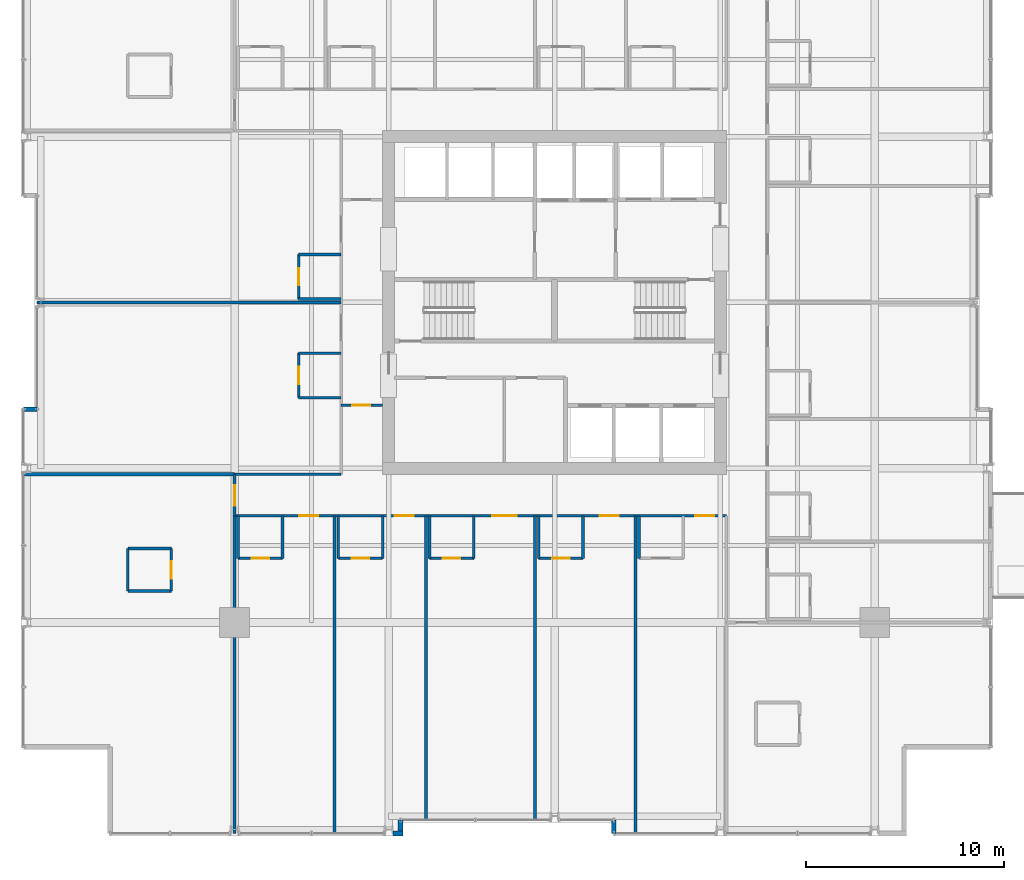
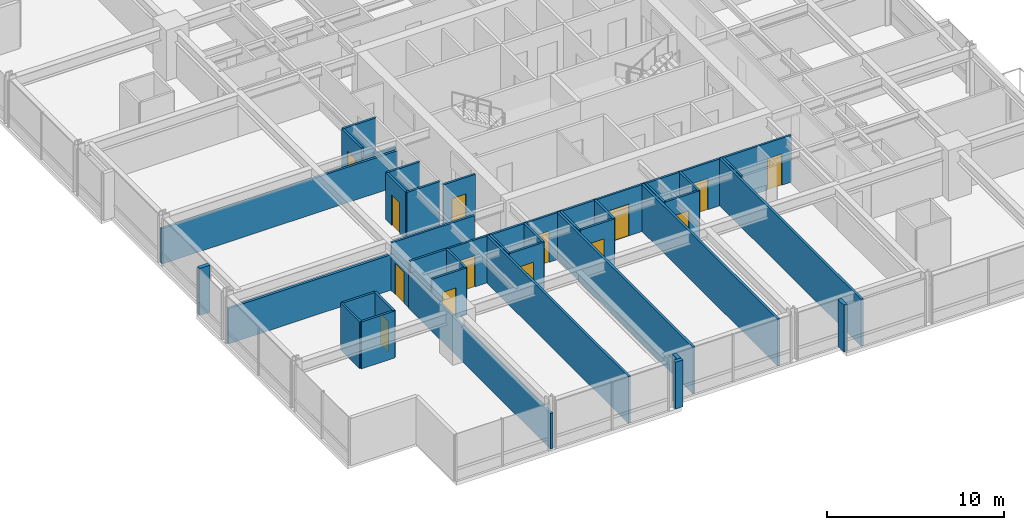
# One storey, part 28 of 34: 38 walls, 14 doors, 14 openings.
"""IFC4 building model written with IfcOpenShell, lengths in metres."""

from ifc_helpers import new_model, si_unit, direction, frame, frame_2d, origin, place, context, subcontext, project, spatial, rectangle, extrude, material, layer, layer_set, type_object, element, fill, save


model = new_model("IFC4")

# Units and contexts
model_context = context("Model", 3, precision=1e-05, world=origin(), true_north=direction((0.0, 1.0)))
body_context = subcontext(model_context, "Body", "Model", "MODEL_VIEW")
ifc_project = project(units=[si_unit("LENGTHUNIT", "METRE"), si_unit("AREAUNIT", "SQUARE_METRE"), si_unit("VOLUMEUNIT", "CUBIC_METRE"), si_unit("PLANEANGLEUNIT", "RADIAN"), si_unit("MASSUNIT", "GRAM", prefix="KILO")], contexts=[model_context])

# Site, building, storey
site_placement = place(None, origin())
site = spatial("IfcSite", under=ifc_project, at=site_placement, CompositionType="ELEMENT")
building_placement = place(site_placement, origin())
building = spatial("IfcBuilding", under=site, at=building_placement, Name="Drelvath Grand Hotel", CompositionType="ELEMENT")
storey_placement = place(building_placement, frame((0.0, 0.0, 91.800048828125)))
storey = spatial("IfcBuildingStorey", under=building, at=storey_placement, Name="L22", CompositionType="ELEMENT", Elevation=91.800048828125)

# Wall, opening, door
ifc_material_1 = material(Name="Gypsum Fireboard Partition")
ifc_layer_1 = layer(ifc_material_1, 0.135009765625)
ifc_layer_set_1 = layer_set([ifc_layer_1], Name="Gypsum Fireboard Partition")
wall_type_1 = type_object("IfcWallType", Name="Corridor Fire Barrier Wall 135", PredefinedType="PARTITIONING", material=ifc_layer_set_1)
wall_1_placement = place(storey_placement, frame((-10.800048828125, 21.800048828125, 0.0), z_axis=(0.0, 0.0, 1.0), x_axis=(1.0, 0.0, 0.0)))
wall_1 = element("IfcWall", 1, at=wall_1_placement, inside=storey, type_object=wall_type_1, Name="L22 West Foyer South Wall", PredefinedType="PARTITIONING", context=body_context, shape_type="SweptSolid", body=[
    extrude(rectangle(XDim=2.10009765625, YDim=0.135009765625, at=frame_2d((1.050048828125, 0.0))), origin(), (0.0, 0.0, 1.0), 3.239990234375),
])
opening_1_placement = place(wall_1_placement, frame((0.550048828125, 0.0, 0.0)))
opening_1 = element("IfcOpeningElement", 2, at=opening_1_placement, cuts=wall_1, Name="Opening D-T2G1-017", PredefinedType="OPENING", context=body_context, shape_type="SweptSolid", body=[
    extrude(rectangle(XDim=0.919921875, YDim=2.10009765625, at=frame_2d((0.4599609375, 1.050048828125))), frame((0.0, 0.077392578125, 0.0), z_axis=(0.0, -1.0, 0.0), x_axis=(1.0, 0.0, 0.0)), (0.0, 0.0, 1.0), 0.155029296875),
])
ifc_material_2 = material(Name="Painted Steel S275", Category="steel")
door_type_1 = type_object("IfcDoorType", Name="Staff Utility Door 920x2100", OperationType="NOTDEFINED", PredefinedType="DOOR", material=ifc_material_2)
door_1_placement = place(opening_1_placement, origin())
door_1 = element("IfcDoor", 3, at=door_1_placement, inside=storey, type_object=door_type_1, Name="L22 West Linen Closet Door", OperationType="SINGLE_SWING_RIGHT", OverallHeight=2.10009765625, OverallWidth=0.919921875, PredefinedType="DOOR", context=body_context, shape_type="SweptSolid", body=[
    extrude(rectangle(XDim=0.919921875, YDim=2.10009765625, at=frame_2d((0.4599609375, 1.050048828125))), frame((0.0, 0.02490234375, 0.0), z_axis=(0.0, -1.0, 0.0), x_axis=(1.0, 0.0, 0.0)), (0.0, 0.0, 1.0), 0.050048828125),
])
fill(opening_1, door_1)

# Wall
wall_2_placement = place(storey_placement, frame((-16.199951171875, 18.300048828125, 0.0), z_axis=(0.0, 0.0, 1.0), x_axis=(1.0, 0.0, 0.0)))
element("IfcWall", 4, at=wall_2_placement, inside=storey, type_object=wall_type_1, Name="L22 SW Stub North Wall", PredefinedType="PARTITIONING", context=body_context, shape_type="SweptSolid", body=[
    extrude(rectangle(XDim=5.39990234375, YDim=0.135009765625, at=frame_2d((2.699951171875, 0.0))), origin(), (0.0, 0.0, 1.0), 3.239990234375),
])

# Wall, openings, doors
wall_3_placement = place(storey_placement, frame((-16.199951171875, 16.199951171875, 0.0), z_axis=(0.0, 0.0, 1.0), x_axis=(1.0, 0.0, 0.0)))
wall_3 = element("IfcWall", 5, at=wall_3_placement, inside=storey, type_object=wall_type_1, Name="L22 South Stub Corridor Wall", PredefinedType="PARTITIONING", context=body_context, shape_type="SweptSolid", body=[
    extrude(rectangle(XDim=24.89990234375, YDim=0.135009765625, at=frame_2d((12.449951171875, 0.0))), origin(), (0.0, 0.0, 1.0), 3.239990234375),
])
opening_2_placement = place(wall_3_placement, frame((3.27099609375, 0.0, 0.0)))
opening_2 = element("IfcOpeningElement", 6, at=opening_2_placement, cuts=wall_3, Name="Opening D-T2G1-028", PredefinedType="OPENING", context=body_context, shape_type="SweptSolid", body=[
    extrude(rectangle(XDim=0.9599609375, YDim=2.14990234375, at=frame_2d((0.47998046875, 1.074951171875))), frame((0.0, 0.077392578125, 0.0), z_axis=(0.0, -1.0, 0.0), x_axis=(1.0, 0.0, 0.0)), (0.0, 0.0, 1.0), 0.155029296875),
])
opening_3_placement = place(wall_3_placement, frame((8.11279296875, 0.0, 0.0)))
opening_3 = element("IfcOpeningElement", 7, at=opening_3_placement, cuts=wall_3, Name="Opening D-T2G1-030", PredefinedType="OPENING", context=body_context, shape_type="SweptSolid", body=[
    extrude(rectangle(XDim=0.9599609375, YDim=2.14990234375, at=frame_2d((0.47998046875, 1.074951171875))), frame((0.0, 0.077392578125, 0.0), z_axis=(0.0, -1.0, 0.0), x_axis=(1.0, 0.0, 0.0)), (0.0, 0.0, 1.0), 0.155029296875),
])
opening_4_placement = place(wall_3_placement, frame((13.034912109375, 0.0, 0.0)))
opening_4 = element("IfcOpeningElement", 8, at=opening_4_placement, cuts=wall_3, Name="Opening D-T2G1-032", PredefinedType="OPENING", context=body_context, shape_type="SweptSolid", body=[
    extrude(rectangle(XDim=1.260009765625, YDim=2.199951171875, at=frame_2d((0.6298828125, 1.10009765625))), frame((0.0, 0.077392578125, 0.0), z_axis=(0.0, -1.0, 0.0), x_axis=(1.0, 0.0, 0.0)), (0.0, 0.0, 1.0), 0.155029296875),
])
opening_5_placement = place(wall_3_placement, frame((18.48779296875, 0.0, 0.0)))
opening_5 = element("IfcOpeningElement", 9, at=opening_5_placement, cuts=wall_3, Name="Opening D-T2G1-034", PredefinedType="OPENING", context=body_context, shape_type="SweptSolid", body=[
    extrude(rectangle(XDim=0.9599609375, YDim=2.14990234375, at=frame_2d((0.47998046875, 1.074951171875))), frame((0.0, 0.077392578125, 0.0), z_axis=(0.0, -1.0, 0.0), x_axis=(1.0, 0.0, 0.0)), (0.0, 0.0, 1.0), 0.155029296875),
])
opening_6_placement = place(wall_3_placement, frame((23.329345703125, 0.0, 0.0)))
opening_6 = element("IfcOpeningElement", 10, at=opening_6_placement, cuts=wall_3, Name="Opening D-T2G1-036", PredefinedType="OPENING", context=body_context, shape_type="SweptSolid", body=[
    extrude(rectangle(XDim=0.9599609375, YDim=2.14990234375, at=frame_2d((0.47998046875, 1.074951171875))), frame((0.0, 0.077392578125, 0.0), z_axis=(0.0, -1.0, 0.0), x_axis=(1.0, 0.0, 0.0)), (0.0, 0.0, 1.0), 0.155029296875),
])
ifc_material_3 = material(Name="Hardwood Walnut Timber", Category="wood")
door_type_2 = type_object("IfcDoorType", Name="Guestroom Entrance Fire Door 960x2150", OperationType="NOTDEFINED", PredefinedType="DOOR", material=ifc_material_3)
door_2_placement = place(opening_2_placement, origin())
door_2 = element("IfcDoor", 11, at=door_2_placement, inside=storey, type_object=door_type_2, Name="L22 Deluxe Guest Room Entry Door", OperationType="SINGLE_SWING_LEFT", OverallHeight=2.14990234375, OverallWidth=0.9599609375, PredefinedType="DOOR", context=body_context, shape_type="SweptSolid", body=[
    extrude(rectangle(XDim=0.9599609375, YDim=2.14990234375, at=frame_2d((0.47998046875, 1.074951171875))), frame((0.0, 0.02490234375, 0.0), z_axis=(0.0, -1.0, 0.0), x_axis=(1.0, 0.0, 0.0)), (0.0, 0.0, 1.0), 0.050048828125),
])
fill(opening_2, door_2)
door_3_placement = place(opening_3_placement, origin())
door_3 = element("IfcDoor", 12, at=door_3_placement, inside=storey, type_object=door_type_2, Name="L22 Deluxe Guest Room Entry Door", OperationType="SINGLE_SWING_LEFT", OverallHeight=2.14990234375, OverallWidth=0.9599609375, PredefinedType="DOOR", context=body_context, shape_type="SweptSolid", body=[
    extrude(rectangle(XDim=0.9599609375, YDim=2.14990234375, at=frame_2d((0.47998046875, 1.074951171875))), frame((0.0, 0.02490234375, 0.0), z_axis=(0.0, -1.0, 0.0), x_axis=(1.0, 0.0, 0.0)), (0.0, 0.0, 1.0), 0.050048828125),
])
fill(opening_3, door_3)
door_4_placement = place(opening_5_placement, origin())
door_4 = element("IfcDoor", 13, at=door_4_placement, inside=storey, type_object=door_type_2, Name="L22 Deluxe Guest Room Entry Door", OperationType="SINGLE_SWING_LEFT", OverallHeight=2.14990234375, OverallWidth=0.9599609375, PredefinedType="DOOR", context=body_context, shape_type="SweptSolid", body=[
    extrude(rectangle(XDim=0.9599609375, YDim=2.14990234375, at=frame_2d((0.47998046875, 1.074951171875))), frame((0.0, 0.02490234375, 0.0), z_axis=(0.0, -1.0, 0.0), x_axis=(1.0, 0.0, 0.0)), (0.0, 0.0, 1.0), 0.050048828125),
])
fill(opening_5, door_4)
door_5_placement = place(opening_6_placement, origin())
door_5 = element("IfcDoor", 14, at=door_5_placement, inside=storey, type_object=door_type_2, Name="L22 Deluxe Guest Room Entry Door", OperationType="SINGLE_SWING_LEFT", OverallHeight=2.14990234375, OverallWidth=0.9599609375, PredefinedType="DOOR", context=body_context, shape_type="SweptSolid", body=[
    extrude(rectangle(XDim=0.9599609375, YDim=2.14990234375, at=frame_2d((0.47998046875, 1.074951171875))), frame((0.0, 0.02490234375, 0.0), z_axis=(0.0, -1.0, 0.0), x_axis=(1.0, 0.0, 0.0)), (0.0, 0.0, 1.0), 0.050048828125),
])
fill(opening_6, door_5)
door_type_3 = type_object("IfcDoorType", Name="Suite Entrance Fire Door 1260x2200", OperationType="NOTDEFINED", PredefinedType="DOOR", material=ifc_material_3)
door_6_placement = place(opening_4_placement, origin())
door_6 = element("IfcDoor", 15, at=door_6_placement, inside=storey, type_object=door_type_3, Name="L22 Corner Suite Entry Door", OperationType="SINGLE_SWING_LEFT", OverallHeight=2.199951171875, OverallWidth=1.260009765625, PredefinedType="DOOR", context=body_context, shape_type="SweptSolid", body=[
    extrude(rectangle(XDim=1.260009765625, YDim=2.199951171875, at=frame_2d((0.6298828125, 1.10009765625))), frame((0.0, 0.02490234375, 0.0), z_axis=(0.0, -1.0, 0.0), x_axis=(1.0, 0.0, 0.0)), (0.0, 0.0, 1.0), 0.050048828125),
])
fill(opening_4, door_6)

# Wall, opening, door
wall_4_placement = place(storey_placement, frame((-16.199951171875, 16.199951171875, 0.0), z_axis=(0.0, 0.0, 1.0), x_axis=(0.0, 1.0, 0.0)))
wall_4 = element("IfcWall", 16, at=wall_4_placement, inside=storey, type_object=wall_type_1, Name="L22 South Stub West End", PredefinedType="PARTITIONING", context=body_context, shape_type="SweptSolid", body=[
    extrude(rectangle(XDim=2.10009765625, YDim=0.135009765625, at=frame_2d((1.050048828125, 0.0))), origin(), (0.0, 0.0, 1.0), 2.45166015625),
])
opening_7_placement = place(wall_4_placement, frame((0.52001953125, 0.0, 0.0)))
opening_7 = element("IfcOpeningElement", 17, at=opening_7_placement, cuts=wall_4, Name="Opening D-T2G1-020", PredefinedType="OPENING", context=body_context, shape_type="SweptSolid", body=[
    extrude(rectangle(XDim=1.02001953125, YDim=2.14990234375, at=frame_2d((0.510009765625, 1.074951171875))), frame((0.0, 0.077392578125, 0.0), z_axis=(0.0, -1.0, 0.0), x_axis=(1.0, 0.0, 0.0)), (0.0, 0.0, 1.0), 0.155029296875),
])
door_type_4 = type_object("IfcDoorType", Name="Amenity Meeting Fire Door 1020x2150", OperationType="NOTDEFINED", PredefinedType="DOOR", material=ifc_material_3)
door_7_placement = place(opening_7_placement, origin())
door_7 = element("IfcDoor", 18, at=door_7_placement, inside=storey, type_object=door_type_4, Name="L22 Corner Suite Entry Door", OperationType="SINGLE_SWING_LEFT", OverallHeight=2.14990234375, OverallWidth=1.02001953125, PredefinedType="DOOR", context=body_context, shape_type="SweptSolid", body=[
    extrude(rectangle(XDim=1.02001953125, YDim=2.14990234375, at=frame_2d((0.510009765625, 1.074951171875))), frame((0.0, 0.02490234375, 0.0), z_axis=(0.0, -1.0, 0.0), x_axis=(1.0, 0.0, 0.0)), (0.0, 0.0, 1.0), 0.050048828125),
])
fill(opening_7, door_7)

# Walls
ifc_material_4 = material(Name="Moisture-Resistant Gypsum Board")
ifc_layer_2 = layer(ifc_material_4, 0.139892578125)
ifc_layer_set_2 = layer_set([ifc_layer_2], Name="Moisture-Resistant Gypsum Board")
wall_type_2 = type_object("IfcWallType", Name="En-Suite Plumbing Wall 140", PredefinedType="PLUMBINGWALL", material=ifc_layer_set_2)
for number, where, z_axis, x_axis, name in (
    (19, (-21.60009765625, 12.39990234375, 0.0), (0.0, 0.0, 1.0), (1.0, 0.0, 0.0), "L22 Corner En-Suite South"),
    (20, (-21.60009765625, 14.550048828125, 0.0), (0.0, 0.0, 1.0), (1.0, 0.0, 0.0), "L22 Corner En-Suite North"),
):
    element("IfcWall", number, at=place(storey_placement, frame(where, z_axis=z_axis, x_axis=x_axis)), inside=storey, type_object=wall_type_2, Name=name, PredefinedType="PLUMBINGWALL", context=body_context, shape_type="SweptSolid", body=[
        extrude(rectangle(XDim=2.2001953125, YDim=0.139892578125, at=frame_2d((1.10009765625, 0.0))), origin(), (0.0, 0.0, 1.0), 3.239990234375),
    ])
wall_5_placement = place(storey_placement, frame((-21.60009765625, 12.39990234375, 0.0), z_axis=(0.0, 0.0, 1.0), x_axis=(0.0, 1.0, 0.0)))
element("IfcWall", 21, at=wall_5_placement, inside=storey, type_object=wall_type_2, Name="L22 Corner En-Suite West", PredefinedType="PLUMBINGWALL", context=body_context, shape_type="SweptSolid", body=[
    extrude(rectangle(XDim=2.150146484375, YDim=0.139892578125, at=frame_2d((1.0751953125, 0.0))), origin(), (0.0, 0.0, 1.0), 3.239990234375),
])

# Wall, opening, door
wall_6_placement = place(storey_placement, frame((-19.39990234375, 12.39990234375, 0.0), z_axis=(0.0, 0.0, 1.0), x_axis=(0.0, 1.0, 0.0)))
wall_6 = element("IfcWall", 22, at=wall_6_placement, inside=storey, type_object=wall_type_2, Name="L22 Corner En-Suite East", PredefinedType="PLUMBINGWALL", context=body_context, shape_type="SweptSolid", body=[
    extrude(rectangle(XDim=2.150146484375, YDim=0.139892578125, at=frame_2d((1.0751953125, 0.0))), origin(), (0.0, 0.0, 1.0), 3.239990234375),
])
opening_8_placement = place(wall_6_placement, frame((0.6201171875, 0.0, 0.0)))
opening_8 = element("IfcOpeningElement", 23, at=opening_8_placement, cuts=wall_6, Name="Opening D-T2G1-019", PredefinedType="OPENING", context=body_context, shape_type="SweptSolid", body=[
    extrude(rectangle(XDim=0.8798828125, YDim=2.10009765625, at=frame_2d((0.43994140625, 1.050048828125))), frame((0.0, 0.079833984375, 0.0), z_axis=(0.0, -1.0, 0.0), x_axis=(1.0, 0.0, 0.0)), (0.0, 0.0, 1.0), 0.159912109375),
])
door_type_5 = type_object("IfcDoorType", Name="En-Suite Bathroom Door 880x2100", OperationType="NOTDEFINED", PredefinedType="DOOR", material=ifc_material_3)
door_8_placement = place(opening_8_placement, origin())
door_8 = element("IfcDoor", 24, at=door_8_placement, inside=storey, type_object=door_type_5, Name="L22 Corner En-Suite Door", OperationType="SINGLE_SWING_RIGHT", OverallHeight=2.10009765625, OverallWidth=0.8798828125, PredefinedType="DOOR", context=body_context, shape_type="SweptSolid", body=[
    extrude(rectangle(XDim=0.8798828125, YDim=2.10009765625, at=frame_2d((0.43994140625, 1.050048828125))), frame((0.0, 0.02490234375, 0.0), z_axis=(0.0, -1.0, 0.0), x_axis=(1.0, 0.0, 0.0)), (0.0, 0.0, 1.0), 0.050048828125),
])
fill(opening_8, door_8)

# Walls
wall_7_placement = place(storey_placement, frame((-16.02001953125, 16.199951171875, 0.0), z_axis=(0.0, 0.0, 1.0), x_axis=(0.0, -1.0, 0.0)))
element("IfcWall", 25, at=wall_7_placement, inside=storey, type_object=wall_type_2, Name="L22 En-Suite Left Wall", PredefinedType="PLUMBINGWALL", context=body_context, shape_type="SweptSolid", body=[
    extrude(rectangle(XDim=2.14990234375, YDim=0.139892578125, at=frame_2d((1.074951171875, 0.0))), origin(), (0.0, 0.0, 1.0), 2.45166015625),
])
wall_8_placement = place(storey_placement, frame((-13.77001953125, 16.199951171875, 0.0), z_axis=(0.0, 0.0, 1.0), x_axis=(0.0, -1.0, 0.0)))
element("IfcWall", 26, at=wall_8_placement, inside=storey, type_object=wall_type_2, Name="L22 En-Suite Right Wall", PredefinedType="PLUMBINGWALL", context=body_context, shape_type="SweptSolid", body=[
    extrude(rectangle(XDim=2.14990234375, YDim=0.139892578125, at=frame_2d((1.074951171875, 0.0))), origin(), (0.0, 0.0, 1.0), 3.239990234375),
])

# Wall, opening, door
wall_9_placement = place(storey_placement, frame((-16.02001953125, 14.050048828125, 0.0), z_axis=(0.0, 0.0, 1.0), x_axis=(1.0, 0.0, 0.0)))
wall_9 = element("IfcWall", 27, at=wall_9_placement, inside=storey, type_object=wall_type_2, Name="L22 En-Suite Front Wall", PredefinedType="PLUMBINGWALL", context=body_context, shape_type="SweptSolid", body=[
    extrude(rectangle(XDim=2.25, YDim=0.139892578125, at=frame_2d((1.125, 0.0))), origin(), (0.0, 0.0, 1.0), 3.239990234375),
])
opening_9_placement = place(wall_9_placement, frame((0.68505859375, 0.0, 0.0)))
opening_9 = element("IfcOpeningElement", 28, at=opening_9_placement, cuts=wall_9, Name="Opening D-T2G1-027", PredefinedType="OPENING", context=body_context, shape_type="SweptSolid", body=[
    extrude(rectangle(XDim=0.8798828125, YDim=2.10009765625, at=frame_2d((0.43994140625, 1.050048828125))), frame((0.0, 0.079833984375, 0.0), z_axis=(0.0, -1.0, 0.0), x_axis=(1.0, 0.0, 0.0)), (0.0, 0.0, 1.0), 0.159912109375),
])
door_9_placement = place(opening_9_placement, origin())
door_9 = element("IfcDoor", 29, at=door_9_placement, inside=storey, type_object=door_type_5, Name="L22 En-Suite Bathroom Door", OperationType="SINGLE_SWING_RIGHT", OverallHeight=2.10009765625, OverallWidth=0.8798828125, PredefinedType="DOOR", context=body_context, shape_type="SweptSolid", body=[
    extrude(rectangle(XDim=0.8798828125, YDim=2.10009765625, at=frame_2d((0.43994140625, 1.050048828125))), frame((0.0, 0.02490234375, 0.0), z_axis=(0.0, -1.0, 0.0), x_axis=(1.0, 0.0, 0.0)), (0.0, 0.0, 1.0), 0.050048828125),
])
fill(opening_9, door_9)

# Walls
for number, where, z_axis, x_axis, name in (
    (30, (-10.94775390625, 16.199951171875, 0.0), (0.0, 0.0, 1.0), (0.0, -1.0, 0.0), "L22 En-Suite Left Wall"),
    (31, (-8.69775390625, 16.199951171875, 0.0), (0.0, 0.0, 1.0), (0.0, -1.0, 0.0), "L22 En-Suite Right Wall"),
):
    element("IfcWall", number, at=place(storey_placement, frame(where, z_axis=z_axis, x_axis=x_axis)), inside=storey, type_object=wall_type_2, Name=name, PredefinedType="PLUMBINGWALL", context=body_context, shape_type="SweptSolid", body=[
        extrude(rectangle(XDim=2.14990234375, YDim=0.139892578125, at=frame_2d((1.074951171875, 0.0))), origin(), (0.0, 0.0, 1.0), 3.239990234375),
    ])

# Wall, opening, door
wall_10_placement = place(storey_placement, frame((-10.94775390625, 14.050048828125, 0.0), z_axis=(0.0, 0.0, 1.0), x_axis=(1.0, 0.0, 0.0)))
wall_10 = element("IfcWall", 32, at=wall_10_placement, inside=storey, type_object=wall_type_2, Name="L22 En-Suite Front Wall", PredefinedType="PLUMBINGWALL", context=body_context, shape_type="SweptSolid", body=[
    extrude(rectangle(XDim=2.25, YDim=0.139892578125, at=frame_2d((1.125, 0.0))), origin(), (0.0, 0.0, 1.0), 3.239990234375),
])
opening_10_placement = place(wall_10_placement, frame((0.68505859375, 0.0, 0.0)))
opening_10 = element("IfcOpeningElement", 33, at=opening_10_placement, cuts=wall_10, Name="Opening D-T2G1-029", PredefinedType="OPENING", context=body_context, shape_type="SweptSolid", body=[
    extrude(rectangle(XDim=0.8798828125, YDim=2.10009765625, at=frame_2d((0.43994140625, 1.050048828125))), frame((0.0, 0.079833984375, 0.0), z_axis=(0.0, -1.0, 0.0), x_axis=(1.0, 0.0, 0.0)), (0.0, 0.0, 1.0), 0.159912109375),
])
door_10_placement = place(opening_10_placement, origin())
door_10 = element("IfcDoor", 34, at=door_10_placement, inside=storey, type_object=door_type_5, Name="L22 En-Suite Bathroom Door", OperationType="SINGLE_SWING_RIGHT", OverallHeight=2.10009765625, OverallWidth=0.8798828125, PredefinedType="DOOR", context=body_context, shape_type="SweptSolid", body=[
    extrude(rectangle(XDim=0.8798828125, YDim=2.10009765625, at=frame_2d((0.43994140625, 1.050048828125))), frame((0.0, 0.02490234375, 0.0), z_axis=(0.0, -1.0, 0.0), x_axis=(1.0, 0.0, 0.0)), (0.0, 0.0, 1.0), 0.050048828125),
])
fill(opening_10, door_10)

# Walls
for number, where, z_axis, x_axis, name in (
    (35, (-6.336669921875, 16.199951171875, 0.0), (0.0, 0.0, 1.0), (0.0, -1.0, 0.0), "L22 En-Suite Left Wall"),
    (36, (-4.086669921875, 16.199951171875, 0.0), (0.0, 0.0, 1.0), (0.0, -1.0, 0.0), "L22 En-Suite Right Wall"),
):
    element("IfcWall", number, at=place(storey_placement, frame(where, z_axis=z_axis, x_axis=x_axis)), inside=storey, type_object=wall_type_2, Name=name, PredefinedType="PLUMBINGWALL", context=body_context, shape_type="SweptSolid", body=[
        extrude(rectangle(XDim=2.14990234375, YDim=0.139892578125, at=frame_2d((1.074951171875, 0.0))), origin(), (0.0, 0.0, 1.0), 3.239990234375),
    ])

# Wall, opening, door
wall_11_placement = place(storey_placement, frame((-6.336669921875, 14.050048828125, 0.0), z_axis=(0.0, 0.0, 1.0), x_axis=(1.0, 0.0, 0.0)))
wall_11 = element("IfcWall", 37, at=wall_11_placement, inside=storey, type_object=wall_type_2, Name="L22 En-Suite Front Wall", PredefinedType="PLUMBINGWALL", context=body_context, shape_type="SweptSolid", body=[
    extrude(rectangle(XDim=2.25, YDim=0.139892578125, at=frame_2d((1.125, 0.0))), origin(), (0.0, 0.0, 1.0), 3.239990234375),
])
opening_11_placement = place(wall_11_placement, frame((0.68505859375, 0.0, 0.0)))
opening_11 = element("IfcOpeningElement", 38, at=opening_11_placement, cuts=wall_11, Name="Opening D-T2G1-031", PredefinedType="OPENING", context=body_context, shape_type="SweptSolid", body=[
    extrude(rectangle(XDim=0.8798828125, YDim=2.10009765625, at=frame_2d((0.43994140625, 1.050048828125))), frame((0.0, 0.079833984375, 0.0), z_axis=(0.0, -1.0, 0.0), x_axis=(1.0, 0.0, 0.0)), (0.0, 0.0, 1.0), 0.159912109375),
])
door_11_placement = place(opening_11_placement, origin())
door_11 = element("IfcDoor", 39, at=door_11_placement, inside=storey, type_object=door_type_5, Name="L22 En-Suite Bathroom Door", OperationType="SINGLE_SWING_RIGHT", OverallHeight=2.10009765625, OverallWidth=0.8798828125, PredefinedType="DOOR", context=body_context, shape_type="SweptSolid", body=[
    extrude(rectangle(XDim=0.8798828125, YDim=2.10009765625, at=frame_2d((0.43994140625, 1.050048828125))), frame((0.0, 0.02490234375, 0.0), z_axis=(0.0, -1.0, 0.0), x_axis=(1.0, 0.0, 0.0)), (0.0, 0.0, 1.0), 0.050048828125),
])
fill(opening_11, door_11)

# Walls
for number, where, z_axis, x_axis, name in (
    (40, (-0.80322265625, 16.199951171875, 0.0), (0.0, 0.0, 1.0), (0.0, -1.0, 0.0), "L22 En-Suite Left Wall"),
    (41, (1.44677734375, 16.199951171875, 0.0), (0.0, 0.0, 1.0), (0.0, -1.0, 0.0), "L22 En-Suite Right Wall"),
):
    element("IfcWall", number, at=place(storey_placement, frame(where, z_axis=z_axis, x_axis=x_axis)), inside=storey, type_object=wall_type_2, Name=name, PredefinedType="PLUMBINGWALL", context=body_context, shape_type="SweptSolid", body=[
        extrude(rectangle(XDim=2.14990234375, YDim=0.139892578125, at=frame_2d((1.074951171875, 0.0))), origin(), (0.0, 0.0, 1.0), 3.239990234375),
    ])

# Wall, opening, door
wall_12_placement = place(storey_placement, frame((-0.80322265625, 14.050048828125, 0.0), z_axis=(0.0, 0.0, 1.0), x_axis=(1.0, 0.0, 0.0)))
wall_12 = element("IfcWall", 42, at=wall_12_placement, inside=storey, type_object=wall_type_2, Name="L22 En-Suite Front Wall", PredefinedType="PLUMBINGWALL", context=body_context, shape_type="SweptSolid", body=[
    extrude(rectangle(XDim=2.25, YDim=0.139892578125, at=frame_2d((1.125, 0.0))), origin(), (0.0, 0.0, 1.0), 3.239990234375),
])
opening_12_placement = place(wall_12_placement, frame((0.68505859375, 0.0, 0.0)))
opening_12 = element("IfcOpeningElement", 43, at=opening_12_placement, cuts=wall_12, Name="Opening D-T2G1-033", PredefinedType="OPENING", context=body_context, shape_type="SweptSolid", body=[
    extrude(rectangle(XDim=0.8798828125, YDim=2.10009765625, at=frame_2d((0.43994140625, 1.050048828125))), frame((0.0, 0.079833984375, 0.0), z_axis=(0.0, -1.0, 0.0), x_axis=(1.0, 0.0, 0.0)), (0.0, 0.0, 1.0), 0.159912109375),
])
door_12_placement = place(opening_12_placement, origin())
door_12 = element("IfcDoor", 44, at=door_12_placement, inside=storey, type_object=door_type_5, Name="L22 En-Suite Bathroom Door", OperationType="SINGLE_SWING_RIGHT", OverallHeight=2.10009765625, OverallWidth=0.8798828125, PredefinedType="DOOR", context=body_context, shape_type="SweptSolid", body=[
    extrude(rectangle(XDim=0.8798828125, YDim=2.10009765625, at=frame_2d((0.43994140625, 1.050048828125))), frame((0.0, 0.02490234375, 0.0), z_axis=(0.0, -1.0, 0.0), x_axis=(1.0, 0.0, 0.0)), (0.0, 0.0, 1.0), 0.050048828125),
])
fill(opening_12, door_12)

# Walls
for number, where, z_axis, x_axis, name in (
    (45, (4.268798828125, 16.199951171875, 0.0), (0.0, 0.0, 1.0), (0.0, -1.0, 0.0), "L22 En-Suite Left Wall"),
    (46, (-10.800048828125, 22.179931640625, 0.0), (0.0, 0.0, 1.0), (-1.0, 0.0, 0.0), "L22 En-Suite Left Wall"),
    (47, (-10.800048828125, 24.429931640625, 0.0), (0.0, 0.0, 1.0), (-1.0, 0.0, 0.0), "L22 En-Suite Right Wall"),
):
    element("IfcWall", number, at=place(storey_placement, frame(where, z_axis=z_axis, x_axis=x_axis)), inside=storey, type_object=wall_type_2, Name=name, PredefinedType="PLUMBINGWALL", context=body_context, shape_type="SweptSolid", body=[
        extrude(rectangle(XDim=2.14990234375, YDim=0.139892578125, at=frame_2d((1.074951171875, 0.0))), origin(), (0.0, 0.0, 1.0), 3.239990234375),
    ])

# Wall, opening, door
wall_13_placement = place(storey_placement, frame((-12.949951171875, 22.179931640625, 0.0), z_axis=(0.0, 0.0, 1.0), x_axis=(0.0, 1.0, 0.0)))
wall_13 = element("IfcWall", 48, at=wall_13_placement, inside=storey, type_object=wall_type_2, Name="L22 En-Suite Front Wall", PredefinedType="PLUMBINGWALL", context=body_context, shape_type="SweptSolid", body=[
    extrude(rectangle(XDim=2.25, YDim=0.139892578125, at=frame_2d((1.125, 0.0))), origin(), (0.0, 0.0, 1.0), 3.239990234375),
])
opening_13_placement = place(wall_13_placement, frame((0.68505859375, 0.0, 0.0)))
opening_13 = element("IfcOpeningElement", 49, at=opening_13_placement, cuts=wall_13, Name="Opening D-T2G1-057", PredefinedType="OPENING", context=body_context, shape_type="SweptSolid", body=[
    extrude(rectangle(XDim=0.8798828125, YDim=2.10009765625, at=frame_2d((0.43994140625, 1.050048828125))), frame((0.0, 0.079833984375, 0.0), z_axis=(0.0, -1.0, 0.0), x_axis=(1.0, 0.0, 0.0)), (0.0, 0.0, 1.0), 0.159912109375),
])
door_13_placement = place(opening_13_placement, origin())
door_13 = element("IfcDoor", 50, at=door_13_placement, inside=storey, type_object=door_type_5, Name="L22 En-Suite Bathroom Door", OperationType="SINGLE_SWING_RIGHT", OverallHeight=2.10009765625, OverallWidth=0.8798828125, PredefinedType="DOOR", context=body_context, shape_type="SweptSolid", body=[
    extrude(rectangle(XDim=0.8798828125, YDim=2.10009765625, at=frame_2d((0.43994140625, 1.050048828125))), frame((0.0, 0.02490234375, 0.0), z_axis=(0.0, -1.0, 0.0), x_axis=(1.0, 0.0, 0.0)), (0.0, 0.0, 1.0), 0.050048828125),
])
fill(opening_13, door_13)

# Walls
wall_14_placement = place(storey_placement, frame((-10.800048828125, 27.179931640625, 0.0), z_axis=(0.0, 0.0, 1.0), x_axis=(-1.0, 0.0, 0.0)))
element("IfcWall", 51, at=wall_14_placement, inside=storey, type_object=wall_type_2, Name="L22 En-Suite Left Wall", PredefinedType="PLUMBINGWALL", context=body_context, shape_type="SweptSolid", body=[
    extrude(rectangle(XDim=2.14990234375, YDim=0.139892578125, at=frame_2d((1.074951171875, 0.0))), origin(), (0.0, 0.0, 1.0), 2.617431640625),
])
wall_15_placement = place(storey_placement, frame((-10.800048828125, 29.429931640625, 0.0), z_axis=(0.0, 0.0, 1.0), x_axis=(-1.0, 0.0, 0.0)))
element("IfcWall", 52, at=wall_15_placement, inside=storey, type_object=wall_type_2, Name="L22 En-Suite Right Wall", PredefinedType="PLUMBINGWALL", context=body_context, shape_type="SweptSolid", body=[
    extrude(rectangle(XDim=2.14990234375, YDim=0.139892578125, at=frame_2d((1.074951171875, 0.0))), origin(), (0.0, 0.0, 1.0), 3.239990234375),
])

# Wall, opening, door
wall_16_placement = place(storey_placement, frame((-12.949951171875, 27.179931640625, 0.0), z_axis=(0.0, 0.0, 1.0), x_axis=(0.0, 1.0, 0.0)))
wall_16 = element("IfcWall", 53, at=wall_16_placement, inside=storey, type_object=wall_type_2, Name="L22 En-Suite Front Wall", PredefinedType="PLUMBINGWALL", context=body_context, shape_type="SweptSolid", body=[
    extrude(rectangle(XDim=2.25, YDim=0.139892578125, at=frame_2d((1.125, 0.0))), origin(), (0.0, 0.0, 1.0), 3.239990234375),
])
opening_14_placement = place(wall_16_placement, frame((0.68505859375, 0.0, 0.0)))
opening_14 = element("IfcOpeningElement", 54, at=opening_14_placement, cuts=wall_16, Name="Opening D-T2G1-059", PredefinedType="OPENING", context=body_context, shape_type="SweptSolid", body=[
    extrude(rectangle(XDim=0.8798828125, YDim=2.10009765625, at=frame_2d((0.43994140625, 1.050048828125))), frame((0.0, 0.079833984375, 0.0), z_axis=(0.0, -1.0, 0.0), x_axis=(1.0, 0.0, 0.0)), (0.0, 0.0, 1.0), 0.159912109375),
])
door_14_placement = place(opening_14_placement, origin())
door_14 = element("IfcDoor", 55, at=door_14_placement, inside=storey, type_object=door_type_5, Name="L22 En-Suite Bathroom Door", OperationType="SINGLE_SWING_RIGHT", OverallHeight=2.10009765625, OverallWidth=0.8798828125, PredefinedType="DOOR", context=body_context, shape_type="SweptSolid", body=[
    extrude(rectangle(XDim=0.8798828125, YDim=2.10009765625, at=frame_2d((0.43994140625, 1.050048828125))), frame((0.0, 0.02490234375, 0.0), z_axis=(0.0, -1.0, 0.0), x_axis=(1.0, 0.0, 0.0)), (0.0, 0.0, 1.0), 0.050048828125),
])
fill(opening_14, door_14)

# Walls
ifc_material_5 = material(Name="Gypsum Acoustic Partition")
ifc_layer_3 = layer(ifc_material_5, 0.14990234375)
ifc_layer_set_3 = layer_set([ifc_layer_3], Name="Gypsum Acoustic Partition")
wall_type_3 = type_object("IfcWallType", Name="Guestroom Demising Wall 150", PredefinedType="PARTITIONING", material=ifc_layer_set_3)
wall_17_placement = place(storey_placement, frame((-11.127685546875, 0.1201171875, 0.0), z_axis=(0.0, 0.0, 1.0), x_axis=(0.0, 1.0, 0.0)))
element("IfcWall", 56, at=wall_17_placement, inside=storey, type_object=wall_type_3, Name="L22 South Demising 1", PredefinedType="PARTITIONING", context=body_context, shape_type="SweptSolid", body=[
    extrude(rectangle(XDim=16.079833984375, YDim=0.14990234375, at=frame_2d((8.0400390625, 0.0))), origin(), (0.0, 0.0, 1.0), 3.239990234375),
])
for number, where, z_axis, x_axis, name in (
    (57, (-6.5166015625, 0.800048828125, 0.0), (0.0, 0.0, 1.0), (0.0, 1.0, 0.0), "L22 South Demising 2"),
    (58, (-0.9833984375, 0.800048828125, 0.0), (0.0, 0.0, 1.0), (0.0, 1.0, 0.0), "L22 South Demising 3"),
):
    element("IfcWall", number, at=place(storey_placement, frame(where, z_axis=z_axis, x_axis=x_axis)), inside=storey, type_object=wall_type_3, Name=name, PredefinedType="PARTITIONING", context=body_context, shape_type="SweptSolid", body=[
        extrude(rectangle(XDim=15.39990234375, YDim=0.14990234375, at=frame_2d((7.699951171875, 0.0))), origin(), (0.0, 0.0, 1.0), 3.239990234375),
    ])
wall_18_placement = place(storey_placement, frame((4.0888671875, 0.1201171875, 0.0), z_axis=(0.0, 0.0, 1.0), x_axis=(0.0, 1.0, 0.0)))
element("IfcWall", 59, at=wall_18_placement, inside=storey, type_object=wall_type_3, Name="L22 South Demising 4", PredefinedType="PARTITIONING", context=body_context, shape_type="SweptSolid", body=[
    extrude(rectangle(XDim=16.079833984375, YDim=0.14990234375, at=frame_2d((8.0400390625, 0.0))), origin(), (0.0, 0.0, 1.0), 3.239990234375),
])
wall_19_placement = place(storey_placement, frame((-26.199951171875, 27.0, 0.0), z_axis=(0.0, 0.0, 1.0), x_axis=(1.0, 0.0, 0.0)))
element("IfcWall", 60, at=wall_19_placement, inside=storey, type_object=wall_type_3, Name="L22 West Suite Demising Wall", PredefinedType="PARTITIONING", context=body_context, shape_type="SweptSolid", body=[
    extrude(rectangle(XDim=15.39990234375, YDim=0.14990234375, at=frame_2d((7.699951171875, 0.0))), origin(), (0.0, 0.0, 1.0), 2.45166015625),
])
ifc_layer_4 = layer(ifc_material_5, 0.1650390625)
ifc_layer_set_4 = layer_set([ifc_layer_4], Name="Gypsum Acoustic Partition")
wall_type_4 = type_object("IfcWallType", Name="Suite Demising Wall 165", PredefinedType="PARTITIONING", material=ifc_layer_set_4)
wall_20_placement = place(storey_placement, frame((-16.199951171875, 0.1201171875, 0.0), z_axis=(0.0, 0.0, 1.0), x_axis=(0.0, 1.0, 0.0)))
element("IfcWall", 61, at=wall_20_placement, inside=storey, type_object=wall_type_4, Name="L22 SW Suite East Wall", PredefinedType="PARTITIONING", context=body_context, shape_type="SweptSolid", body=[
    extrude(rectangle(XDim=16.079833984375, YDim=0.1650390625, at=frame_2d((8.0400390625, 0.0))), origin(), (0.0, 0.0, 1.0), 2.45166015625),
])
wall_21_placement = place(storey_placement, frame((-26.8798828125, 18.300048828125, 0.0), z_axis=(0.0, 0.0, 1.0), x_axis=(1.0, 0.0, 0.0)))
element("IfcWall", 62, at=wall_21_placement, inside=storey, type_object=wall_type_4, Name="L22 SW Suite North Wall", PredefinedType="PARTITIONING", context=body_context, shape_type="SweptSolid", body=[
    extrude(rectangle(XDim=10.679931640625, YDim=0.1650390625, at=frame_2d((5.33984375, 0.0))), origin(), (0.0, 0.0, 1.0), 2.45166015625),
])
ifc_material_6 = material(Name="Pale-Metal Insulated Aluminium Spandrel Assembly", Category="aluminium")
ifc_layer_5 = layer(ifc_material_6, 0.239990234375)
ifc_layer_set_5 = layer_set([ifc_layer_5], Name="Pale-Metal Insulated Aluminium Spandrel Assembly")
wall_type_5 = type_object("IfcWallType", Name="Tower Insulated Metal Spandrel Closure Wall 240", PredefinedType="STANDARD", material=ifc_layer_set_5)
wall_22_placement = place(storey_placement, frame((-7.679931640625, 0.1201171875, 0.0), z_axis=(0.0, 0.0, 1.0), x_axis=(-1.0, 0.0, 0.0)))
element("IfcWall", 63, at=wall_22_placement, inside=storey, type_object=wall_type_5, Name="L22 Corner Pier Spandrel Wall SW3", PredefinedType="STANDARD", context=body_context, shape_type="SweptSolid", body=[
    extrude(rectangle(XDim=0.50048828125, YDim=0.239990234375, at=frame_2d((0.250244140625, 0.0))), origin(), (0.0, 0.0, 1.0), 3.239990234375),
])
for number, where, z_axis, x_axis, name in (
    (64, (-26.8798828125, 21.60009765625, 0.0), (0.0, 0.0, 1.0), (1.0, 0.0, 0.0), "L22 Notched Corner Return Spandrel Wall RW1"),
    (65, (3.0, 0.1201171875, 0.0), (0.0, 0.0, 1.0), (0.0, 1.0, 0.0), "L22 Notched Corner Return Spandrel Wall RS1"),
):
    element("IfcWall", number, at=place(storey_placement, frame(where, z_axis=z_axis, x_axis=x_axis)), inside=storey, type_object=wall_type_5, Name=name, PredefinedType="STANDARD", context=body_context, shape_type="SweptSolid", body=[
        extrude(rectangle(XDim=0.679931640625, YDim=0.239990234375, at=frame_2d((0.33984375, 0.0))), origin(), (0.0, 0.0, 1.0), 3.239990234375),
    ])
wall_23_placement = place(storey_placement, frame((-7.800048828125, 0.800048828125, 0.0), z_axis=(0.0, 0.0, 1.0), x_axis=(0.0, -1.0, 0.0)))
element("IfcWall", 66, at=wall_23_placement, inside=storey, type_object=wall_type_5, Name="L22 Notched Corner Return Spandrel Wall RS2", PredefinedType="STANDARD", context=body_context, shape_type="SweptSolid", body=[
    extrude(rectangle(XDim=0.56005859375, YDim=0.239990234375, at=frame_2d((0.280029296875, 0.0))), origin(), (0.0, 0.0, 1.0), 3.239990234375),
])

save(model, "model.ifc")
